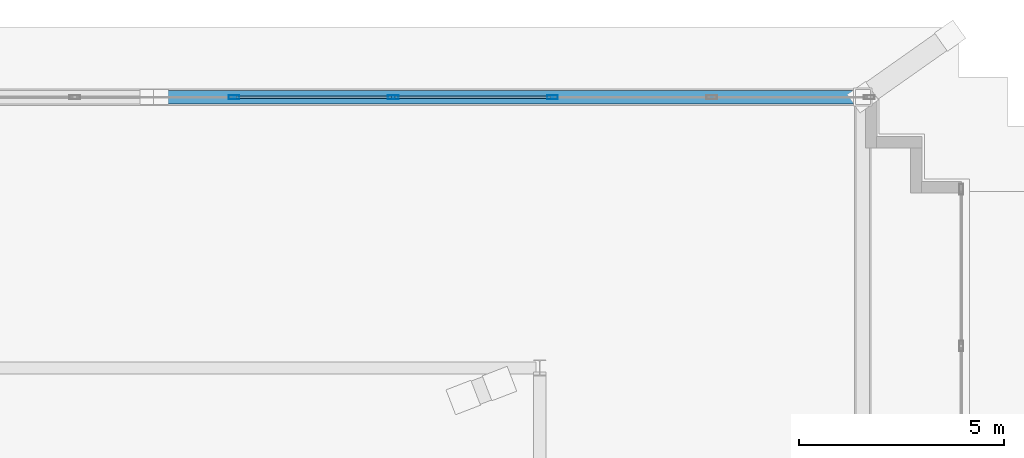
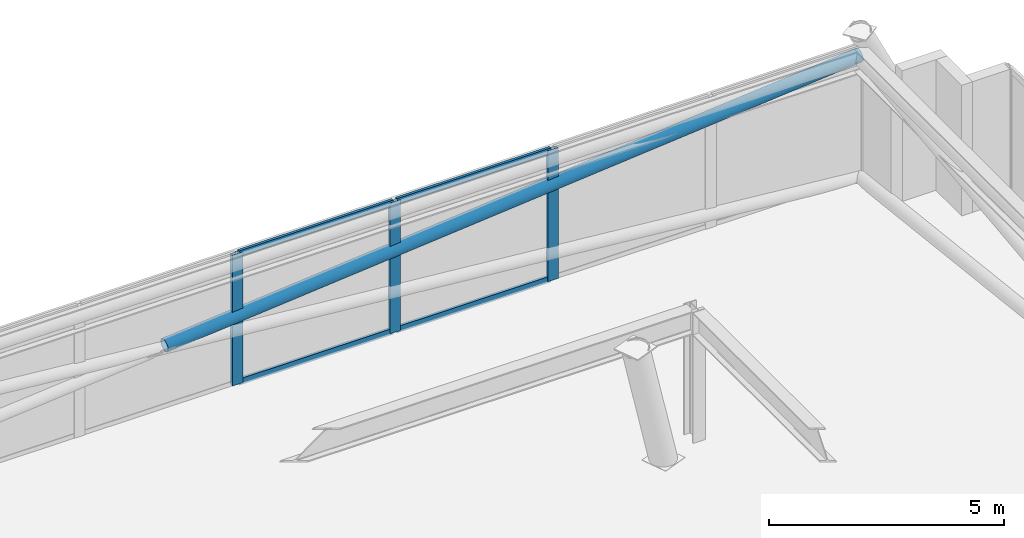
# One storey, part 14 of 22: 8 members, 1 element without a shape of its own.
"""IFC4 building model written with IfcOpenShell, lengths in metres."""

from ifc_helpers import new_model, si_unit, direction, frame, origin, origin_2d, place, context, subcontext, project, spatial, hollow_rectangle, hollow_circle, extrude, material, layer, layer_set, material_profile, profile_set, type_object, element, aggregate, save


model = new_model("IFC4")

# Units and contexts
model_context = context("Model", 3, precision=1e-05, world=origin(), true_north=direction((0.0, 1.0)))
body_context = subcontext(model_context, "Body", "Model", "MODEL_VIEW")
ifc_project = project(units=[si_unit("LENGTHUNIT", "METRE"), si_unit("AREAUNIT", "SQUARE_METRE"), si_unit("VOLUMEUNIT", "CUBIC_METRE"), si_unit("PLANEANGLEUNIT", "RADIAN"), si_unit("MASSUNIT", "GRAM", prefix="KILO")], contexts=[model_context])

# Site, building, storey
site_placement = place(None, origin())
site = spatial("IfcSite", under=ifc_project, at=site_placement, CompositionType="ELEMENT")
building_placement = place(site_placement, origin())
building = spatial("IfcBuilding", under=site, at=building_placement, Name="Qobustan Lattice House", CompositionType="ELEMENT")
storey_placement = place(building_placement, frame((0.0, 0.0, 274.0)))
storey = spatial("IfcBuildingStorey", under=building, at=storey_placement, Name="L77", CompositionType="ELEMENT", Elevation=274.0)

# Curtain wall, members
ifc_material_1 = material(Name="Anodised aluminium and low-E glazing", Category="aluminium")
ifc_layer = layer(ifc_material_1, 0.219970703125)
ifc_layer_set = layer_set([ifc_layer], Name="Anodised aluminium and low-E glazing")
curtain_wall_type = type_object("IfcCurtainWallType", Name="CW-CRN-01", PredefinedType="USERDEFINED", material=ifc_layer_set)
curtain_wall_placement = place(storey_placement, origin())
curtain_wall = element("IfcCurtainWall", 1, at=curtain_wall_placement, inside=storey, type_object=curtain_wall_type, Name="L77 glass-point crown faceted curtain wall 10", ObjectType="CURTAIN WALL", PredefinedType="USERDEFINED")
ifc_material_2 = material(Name="Anodised aluminium EN AW-6063 T6", Category="aluminium")
ifc_material_profile_1 = material_profile(ifc_material_2, hollow_rectangle(XDim=0.090087890625, YDim=0.260009765625, WallThickness=0.006103515625, at=origin_2d()), Name="CWM-CROWN-260x90")
ifc_profile_set_1 = profile_set([ifc_material_profile_1], Name="Anodised aluminium EN AW-6063 T6")
member_type_1 = type_object("IfcMemberType", Name="CWM-CRN-260", PredefinedType="MULLION", material=ifc_profile_set_1)
member_1_placement = place(storey_placement, frame((1.741455078125, 12.201416015625, 0.0), z_axis=(0.0, 0.0, 1.0), x_axis=(0.0, 1.0, 0.0)))
member_1 = element("IfcMember", 2, at=member_1_placement, type_object=member_type_1, Name="CW-CR mullion 6", PredefinedType="MULLION", context=body_context, shape_type="SweptSolid", body=[
    extrude(hollow_rectangle(XDim=0.090087890625, YDim=0.260009765625, WallThickness=0.006103515625, at=origin_2d()), origin(), (0.0, 0.0, 1.0), 3.39990234375),
])
member_2_placement = place(storey_placement, frame((5.62451171875, 12.201416015625, 0.0), z_axis=(0.0, 0.0, 1.0), x_axis=(0.0, 1.0, 0.0)))
member_2 = element("IfcMember", 3, at=member_2_placement, type_object=member_type_1, Name="CW-CR mullion 7", PredefinedType="MULLION", context=body_context, shape_type="SweptSolid", body=[
    extrude(hollow_rectangle(XDim=0.090087890625, YDim=0.260009765625, WallThickness=0.006103515625, at=origin_2d()), origin(), (0.0, 0.0, 1.0), 3.39990234375),
])
member_3_placement = place(storey_placement, frame((9.507568359375, 12.201416015625, 0.0), z_axis=(0.0, 0.0, 1.0), x_axis=(0.0, 1.0, 0.0)))
member_3 = element("IfcMember", 4, at=member_3_placement, type_object=member_type_1, Name="CW-CR mullion 8", PredefinedType="MULLION", context=body_context, shape_type="SweptSolid", body=[
    extrude(hollow_rectangle(XDim=0.090087890625, YDim=0.260009765625, WallThickness=0.006103515625, at=origin_2d()), origin(), (0.0, 0.0, 1.0), 3.39990234375),
])
ifc_material_3 = material(Name="Anodised aluminium EN AW-6063 T6", Category="aluminium")
ifc_material_profile_2 = material_profile(ifc_material_3, hollow_rectangle(XDim=0.06494140625, YDim=0.159912109375, WallThickness=0.00390625, at=origin_2d()), Name="CWT-160x65")
ifc_profile_set_2 = profile_set([ifc_material_profile_2], Name="Anodised aluminium EN AW-6063 T6")
member_type_2 = type_object("IfcMemberType", Name="CWT-HOR-160", PredefinedType="USERDEFINED", material=ifc_profile_set_2)
member_4_placement = place(storey_placement, frame((1.78662109375, 12.201416015625, 0.032470703125), z_axis=(1.0, 0.0, 0.0), x_axis=(0.0, 1.0, 0.0)))
member_4 = element("IfcMember", 5, at=member_4_placement, type_object=member_type_2, Name="CW-CR transom 6.1", ObjectType="TRANSOM", PredefinedType="USERDEFINED", context=body_context, shape_type="SweptSolid", body=[
    extrude(hollow_rectangle(XDim=0.06494140625, YDim=0.159912109375, WallThickness=0.00390625, at=origin_2d()), origin(), (0.0, 0.0, 1.0), 3.79296875),
])
member_5_placement = place(storey_placement, frame((1.78662109375, 12.201416015625, 3.367431640625), z_axis=(1.0, 0.0, 0.0), x_axis=(0.0, 1.0, 0.0)))
member_5 = element("IfcMember", 6, at=member_5_placement, type_object=member_type_2, Name="CW-CR transom 6.2", ObjectType="TRANSOM", PredefinedType="USERDEFINED", context=body_context, shape_type="SweptSolid", body=[
    extrude(hollow_rectangle(XDim=0.06494140625, YDim=0.159912109375, WallThickness=0.00390625, at=origin_2d()), origin(), (0.0, 0.0, 1.0), 3.79296875),
])
member_6_placement = place(storey_placement, frame((5.66943359375, 12.201416015625, 0.032470703125), z_axis=(1.0, 0.0, 0.0), x_axis=(0.0, 1.0, 0.0)))
member_6 = element("IfcMember", 7, at=member_6_placement, type_object=member_type_2, Name="CW-CR transom 7.1", ObjectType="TRANSOM", PredefinedType="USERDEFINED", context=body_context, shape_type="SweptSolid", body=[
    extrude(hollow_rectangle(XDim=0.06494140625, YDim=0.159912109375, WallThickness=0.00390625, at=origin_2d()), origin(), (0.0, 0.0, 1.0), 3.79296875),
])
member_7_placement = place(storey_placement, frame((5.66943359375, 12.201416015625, 3.367431640625), z_axis=(1.0, 0.0, 0.0), x_axis=(0.0, 1.0, 0.0)))
member_7 = element("IfcMember", 8, at=member_7_placement, type_object=member_type_2, Name="CW-CR transom 7.2", ObjectType="TRANSOM", PredefinedType="USERDEFINED", context=body_context, shape_type="SweptSolid", body=[
    extrude(hollow_rectangle(XDim=0.06494140625, YDim=0.159912109375, WallThickness=0.00390625, at=origin_2d()), origin(), (0.0, 0.0, 1.0), 3.79296875),
])
aggregate(curtain_wall, [member_1, member_2, member_3, member_4, member_5, member_6, member_7])

# Member
ifc_material_4 = material(Name="Steel S355", Category="steel")
ifc_material_profile_3 = material_profile(ifc_material_4, hollow_circle(Radius=0.161865234375, WallThickness=0.012451171875, at=origin_2d()), Name="CHS323.9x12.5")
ifc_profile_set_3 = profile_set([ifc_material_profile_3], Name="Steel S355")
member_type_3 = type_object("IfcMemberType", Name="MEM-CBR-CHS324", PredefinedType="BRACE", material=ifc_profile_set_3)
member_8_placement = place(storey_placement, frame((-0.03271484375, 12.201416015625, 1.61279296875), z_axis=(0.99582982333, 0.0, 0.091230274394), x_axis=(0.0, 1.0, 0.0)))
element("IfcMember", 9, at=member_8_placement, inside=storey, type_object=member_type_3, Name="L77 crown diagrid split brace 3B upper", PredefinedType="BRACE", context=body_context, shape_type="SweptSolid", body=[
    extrude(hollow_circle(Radius=0.161865234375, WallThickness=0.012451171875, at=origin_2d()), origin(), (0.0, 0.0, 1.0), 17.177734375),
])

save(model, "model.ifc")
